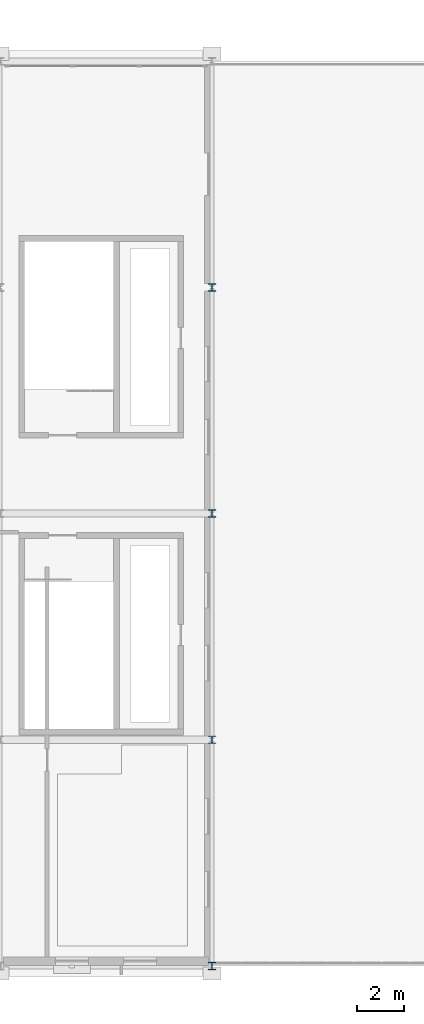
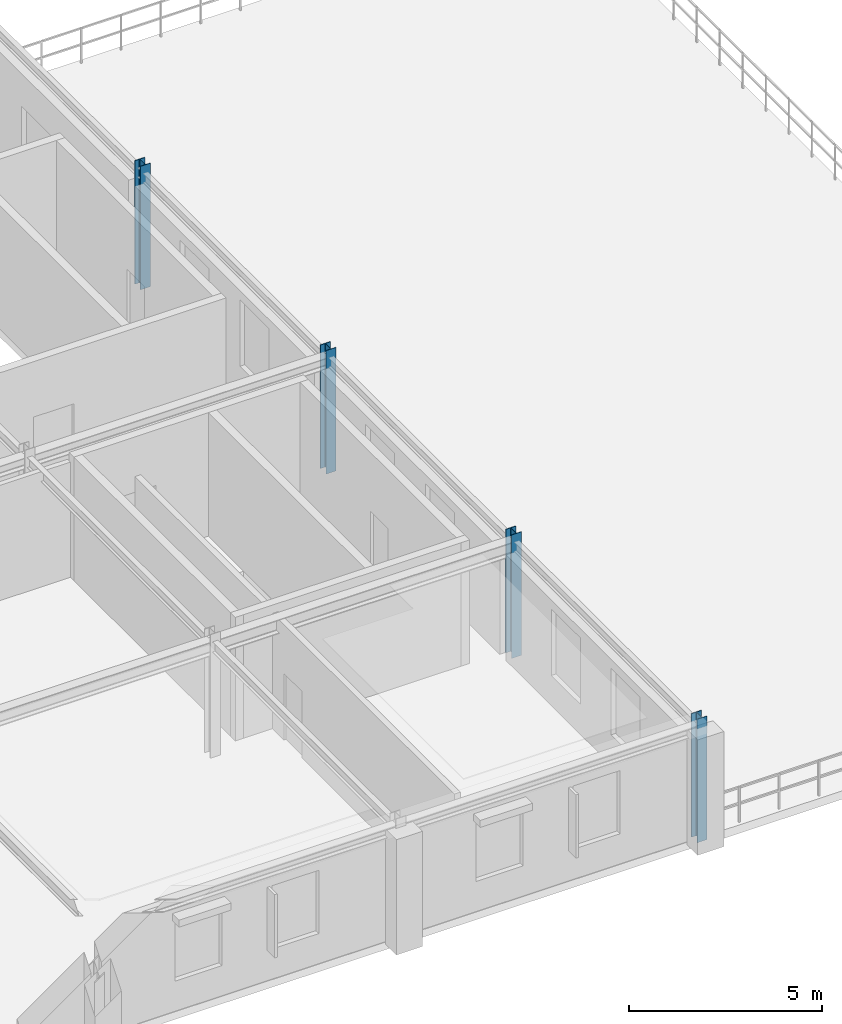
# One storey, part 5 of 52: 4 columns.
"""IFC4 building model written with IfcOpenShell, lengths in metres."""

from ifc_helpers import new_model, si_unit, direction, frame, origin, origin_2d, place, context, subcontext, project, spatial, i_section, extrude, material, material_profile, profile_set, type_object, element, save


model = new_model("IFC4")

# Units and contexts
model_context = context("Model", 3, precision=1e-05, world=origin(), true_north=direction((0.0, 1.0)))
body_context = subcontext(model_context, "Body", "Model", "MODEL_VIEW")
ifc_project = project(units=[si_unit("LENGTHUNIT", "METRE"), si_unit("AREAUNIT", "SQUARE_METRE"), si_unit("VOLUMEUNIT", "CUBIC_METRE"), si_unit("PLANEANGLEUNIT", "RADIAN"), si_unit("MASSUNIT", "GRAM", prefix="KILO")], contexts=[model_context])

# Site, building, storey
site_placement = place(None, origin())
site = spatial("IfcSite", under=ifc_project, at=site_placement, CompositionType="ELEMENT")
building_placement = place(site_placement, origin())
building = spatial("IfcBuilding", under=site, at=building_placement, Name="Myrtia Square Station", CompositionType="ELEMENT")
storey_placement = place(building_placement, frame((0.0, 0.0, 15.0)))
storey = spatial("IfcBuildingStorey", under=building, at=storey_placement, Name="L03", CompositionType="ELEMENT", Elevation=15.0)

# Columns
ifc_material = material(Name="Steel S355", Category="steel")
ifc_material_profile = material_profile(ifc_material, i_section(OverallWidth=0.300048828125, OverallDepth=0.31005859375, WebThickness=0.009033203125, FlangeThickness=0.015380859375, FilletRadius=0.027099609375, at=origin_2d()), Name="HEA 320")
ifc_profile_set = profile_set([ifc_material_profile], Name="Steel S355")
column_type = type_object("IfcColumnType", Name="COL-HEA320", PredefinedType="COLUMN", material=ifc_profile_set)
for number, where, z_axis, x_axis, name in (
    (1, (144.0, 0.0, 0.0), (0.0, 0.0, 1.0), (1.0, 0.0, 0.0), "Column L03-0638"),
    (2, (144.0, 9.60009765625, 0.0), (0.0, 0.0, 1.0), (1.0, 0.0, 0.0), "Column L03-0643"),
    (3, (144.0, 19.199951171875, 0.0), (0.0, 0.0, 1.0), (1.0, 0.0, 0.0), "Column L03-0648"),
    (4, (144.0, 28.800048828125, 0.0), (0.0, 0.0, 1.0), (1.0, 0.0, 0.0), "Column L03-0653"),
):
    element("IfcColumn", number, at=place(storey_placement, frame(where, z_axis=z_axis, x_axis=x_axis)), inside=storey, type_object=column_type, Name=name, PredefinedType="COLUMN", context=body_context, shape_type="SweptSolid", body=[
        extrude(i_section(OverallWidth=0.300048828125, OverallDepth=0.31005859375, WebThickness=0.009033203125, FlangeThickness=0.015380859375, FilletRadius=0.027099609375, at=origin_2d()), origin(), (0.0, 0.0, 1.0), 3.89990234375),
    ])

save(model, "model.ifc")
